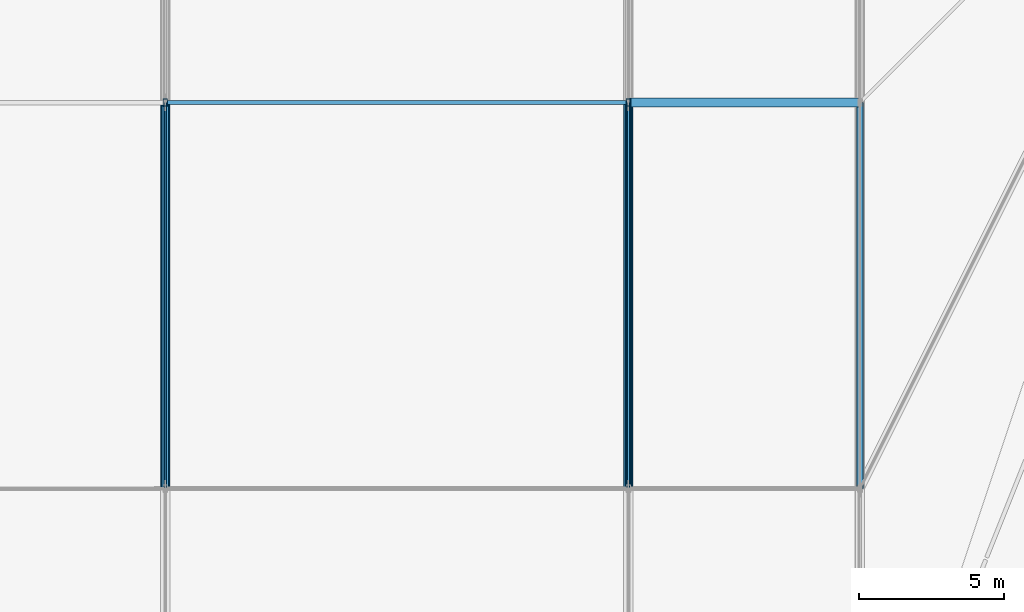
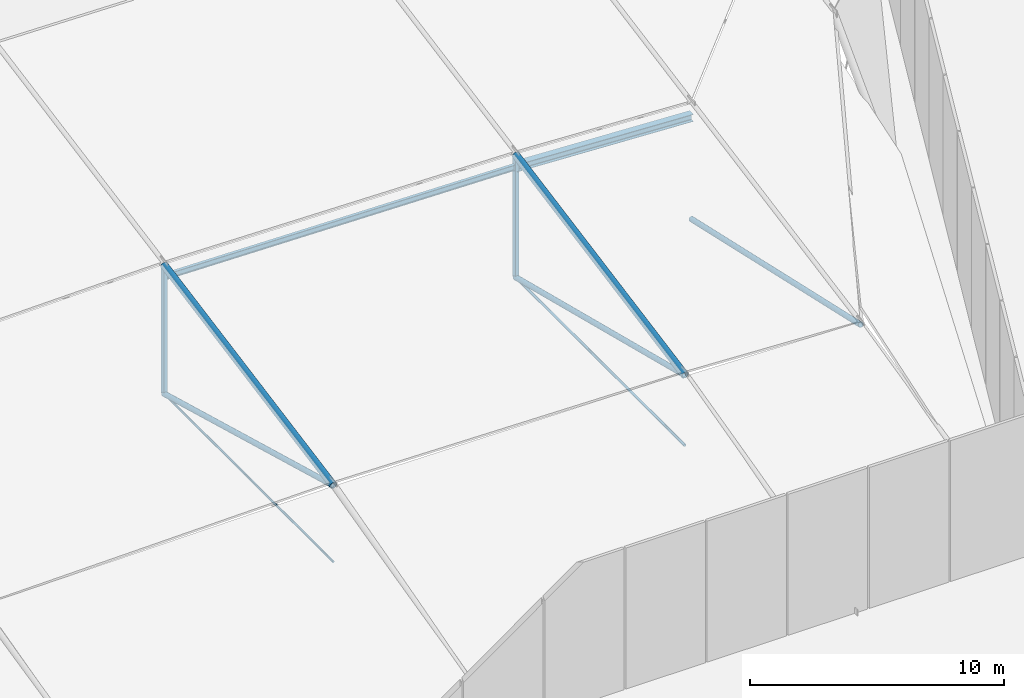
# One storey, part 5 of 30: 11 members.
"""IFC4 building model written with IfcOpenShell, lengths in metres."""

from ifc_helpers import new_model, si_unit, direction, frame, origin, origin_2d, place, context, subcontext, project, spatial, hollow_rectangle, circle, hollow_circle, i_section, extrude, material, material_profile, profile_set, type_object, element, save


model = new_model("IFC4")

# Units and contexts
model_context = context("Model", 3, precision=1e-05, world=origin(), true_north=direction((0.0, 1.0)))
body_context = subcontext(model_context, "Body", "Model", "MODEL_VIEW")
ifc_project = project(units=[si_unit("LENGTHUNIT", "METRE"), si_unit("AREAUNIT", "SQUARE_METRE"), si_unit("VOLUMEUNIT", "CUBIC_METRE"), si_unit("PLANEANGLEUNIT", "RADIAN"), si_unit("MASSUNIT", "GRAM", prefix="KILO")], contexts=[model_context])

# Site, building, storey
site_placement = place(None, origin())
site = spatial("IfcSite", under=ifc_project, at=site_placement, CompositionType="ELEMENT")
building_placement = place(site_placement, origin())
building = spatial("IfcBuilding", under=site, at=building_placement, Name="Tazarka Park Arena", CompositionType="ELEMENT")
storey_placement = place(building_placement, frame((0.0, 0.0, 29.39990234375)))
storey = spatial("IfcBuildingStorey", under=building, at=storey_placement, Name="Roof", CompositionType="ELEMENT", Elevation=29.39990234375)

# Members
ifc_material_1 = material(Name="Steel S355", Category="steel")
ifc_material_profile_1 = material_profile(ifc_material_1, hollow_circle(Radius=0.122314453125, WallThickness=0.012451171875, at=origin_2d()), Name="Steel S355")
ifc_profile_set_1 = profile_set([ifc_material_profile_1], Name="Steel S355")
member_type_1 = type_object("IfcMemberType", Name="MEM-BR-05", PredefinedType="BRACE", material=ifc_profile_set_1)
member_1_placement = place(storey_placement, frame((88.0, 37.333251953125, 3.62158203125), z_axis=(0.0, 0.964118911046, -0.265470761788), x_axis=(-1.0, 0.0, 0.0)))
element("IfcMember", 1, at=member_1_placement, inside=storey, type_object=member_type_1, Name="CBD-04-1", PredefinedType="BRACE", context=body_context, shape_type="SweptSolid", body=[
    extrude(hollow_circle(Radius=0.122314453125, WallThickness=0.012451171875, at=origin_2d()), origin(), (0.0, 0.0, 1.0), 13.829833984375),
])
member_2_placement = place(storey_placement, frame((104.0, 37.333251953125, 3.3232421875), z_axis=(0.0, 0.969459981923, -0.245249553416), x_axis=(-1.0, 0.0, 0.0)))
element("IfcMember", 2, at=member_2_placement, inside=storey, type_object=member_type_1, Name="CBD-05-1", PredefinedType="BRACE", context=body_context, shape_type="SweptSolid", body=[
    extrude(hollow_circle(Radius=0.122314453125, WallThickness=0.012451171875, at=origin_2d()), origin(), (0.0, 0.0, 1.0), 13.75341796875),
])
member_3_placement = place(storey_placement, frame((112.0, 37.333251953125, 2.950439453125), z_axis=(0.0, 0.975606504186, -0.219526647562), x_axis=(-1.0, 0.0, 0.0)))
element("IfcMember", 3, at=member_3_placement, inside=storey, type_object=member_type_1, Name="CBD-06-1", PredefinedType="BRACE", context=body_context, shape_type="SweptSolid", body=[
    extrude(hollow_circle(Radius=0.122314453125, WallThickness=0.012451171875, at=origin_2d()), origin(), (0.0, 0.0, 1.0), 13.6669921875),
])
ifc_material_2 = material(Name="Locked-coil steel cable S1570", Category="steel")
ifc_material_profile_2 = material_profile(ifc_material_2, circle(Radius=0.050048828125, at=origin_2d()), Name="Locked-coil steel cable S1570")
ifc_profile_set_2 = profile_set([ifc_material_profile_2], Name="Locked-coil steel cable S1570")
member_type_2 = type_object("IfcMemberType", Name="MEM-CBL-02", PredefinedType="USERDEFINED", material=ifc_profile_set_2)
member_4_placement = place(storey_placement, frame((88.0, 37.333251953125, -0.0498046875), z_axis=(0.0, 1.0, 0.0), x_axis=(-1.0, 0.0, 0.0)))
element("IfcMember", 4, at=member_4_placement, inside=storey, type_object=member_type_2, Name="CABLE CBL-02-5-2", ObjectType="CABLE", PredefinedType="USERDEFINED", context=body_context, shape_type="SweptSolid", body=[
    extrude(circle(Radius=0.050048828125, at=origin_2d()), origin(), (0.0, 0.0, 1.0), 13.33349609375),
])
ifc_material_3 = material(Name="Locked-coil steel cable S1570", Category="steel")
ifc_material_profile_3 = material_profile(ifc_material_3, circle(Radius=0.06005859375, at=origin_2d()), Name="Locked-coil steel cable S1570")
ifc_profile_set_3 = profile_set([ifc_material_profile_3], Name="Locked-coil steel cable S1570")
member_type_3 = type_object("IfcMemberType", Name="MEM-CBL-03", PredefinedType="USERDEFINED", material=ifc_profile_set_3)
member_5_placement = place(storey_placement, frame((104.0, 37.333251953125, -0.0498046875), z_axis=(0.0, 1.0, 0.0), x_axis=(-1.0, 0.0, 0.0)))
element("IfcMember", 5, at=member_5_placement, inside=storey, type_object=member_type_3, Name="CABLE CBL-03-6-2", ObjectType="CABLE", PredefinedType="USERDEFINED", context=body_context, shape_type="SweptSolid", body=[
    extrude(circle(Radius=0.06005859375, at=origin_2d()), origin(), (0.0, 0.0, 1.0), 13.33349609375),
])
ifc_material_4 = material(Name="Steel S460", Category="steel")
ifc_material_profile_4 = material_profile(ifc_material_4, hollow_circle(Radius=0.161865234375, WallThickness=0.01611328125, at=origin_2d()), Name="Steel S460")
ifc_profile_set_4 = profile_set([ifc_material_profile_4], Name="Steel S460")
member_type_4 = type_object("IfcMemberType", Name="MEM-CH-03", PredefinedType="CHORD", material=ifc_profile_set_4)
member_6_placement = place(storey_placement, frame((88.0, 37.333251953125, 3.62158203125), z_axis=(0.0, 0.982683048586, 0.185294430628), x_axis=(-1.0, 0.0, 0.0)))
element("IfcMember", 6, at=member_6_placement, inside=storey, type_object=member_type_4, Name="CABLE ARCH CHORD 5-2", PredefinedType="CHORD", context=body_context, shape_type="SweptSolid", body=[
    extrude(hollow_circle(Radius=0.161865234375, WallThickness=0.01611328125, at=origin_2d()), origin(), (0.0, 0.0, 1.0), 13.568359375),
])
member_7_placement = place(storey_placement, frame((104.0, 37.333251953125, 3.3232421875), z_axis=(0.0, 0.982679772131, 0.185311806005), x_axis=(-1.0, 0.0, 0.0)))
element("IfcMember", 7, at=member_7_placement, inside=storey, type_object=member_type_4, Name="CABLE ARCH CHORD 6-2", PredefinedType="CHORD", context=body_context, shape_type="SweptSolid", body=[
    extrude(hollow_circle(Radius=0.161865234375, WallThickness=0.01611328125, at=origin_2d()), origin(), (0.0, 0.0, 1.0), 13.568603515625),
])
ifc_material_5 = material(Name="Steel S355", Category="steel")
ifc_material_profile_5 = material_profile(ifc_material_5, i_section(OverallWidth=0.135009765625, OverallDepth=0.27001953125, WebThickness=0.006591796875, FlangeThickness=0.01025390625, FilletRadius=0.014892578125, at=origin_2d()), Name="Steel S355")
ifc_profile_set_5 = profile_set([ifc_material_profile_5], Name="Steel S355")
member_type_5 = type_object("IfcMemberType", Name="MEM-PR-03", PredefinedType="PURLIN", material=ifc_profile_set_5)
member_8_placement = place(storey_placement, frame((88.0, 50.666748046875, 5.57568359375), z_axis=(0.999826488435, 0.0, -0.018627748755), x_axis=(0.0, 1.0, 0.0)))
element("IfcMember", 8, at=member_8_placement, inside=storey, type_object=member_type_5, Name="RPM-04-02", PredefinedType="PURLIN", context=body_context, shape_type="SweptSolid", body=[
    extrude(i_section(OverallWidth=0.135009765625, OverallDepth=0.27001953125, WebThickness=0.006591796875, FlangeThickness=0.01025390625, FilletRadius=0.014892578125, at=origin_2d()), origin(), (0.0, 0.0, 1.0), 16.002685546875),
])
ifc_material_6 = material(Name="Steel S355", Category="steel")
ifc_material_profile_6 = material_profile(ifc_material_6, i_section(OverallWidth=0.300048828125, OverallDepth=0.35009765625, WebThickness=0.010009765625, FlangeThickness=0.017578125, FilletRadius=0.027099609375, at=origin_2d()), Name="Steel S355")
ifc_profile_set_6 = profile_set([ifc_material_profile_6], Name="Steel S355")
member_type_6 = type_object("IfcMemberType", Name="MEM-PR-04", PredefinedType="PURLIN", material=ifc_profile_set_6)
member_9_placement = place(storey_placement, frame((104.0, 50.666748046875, 5.277587890625), z_axis=(0.998915969307, 0.0, -0.046549825596), x_axis=(0.0, 1.0, 0.0)))
element("IfcMember", 9, at=member_9_placement, inside=storey, type_object=member_type_6, Name="RPM-05-02", PredefinedType="PURLIN", context=body_context, shape_type="SweptSolid", body=[
    extrude(i_section(OverallWidth=0.300048828125, OverallDepth=0.35009765625, WebThickness=0.010009765625, FlangeThickness=0.017578125, FilletRadius=0.027099609375, at=origin_2d()), origin(), (0.0, 0.0, 1.0), 8.0087890625),
])
ifc_material_7 = material(Name="Steel S355", Category="steel")
ifc_material_profile_7 = material_profile(ifc_material_7, hollow_rectangle(XDim=0.14990234375, YDim=0.25, WallThickness=0.010009765625, at=origin_2d()), Name="Steel S355")
ifc_profile_set_7 = profile_set([ifc_material_profile_7], Name="Steel S355")
member_type_7 = type_object("IfcMemberType", Name="MEM-PT-02", PredefinedType="POST", material=ifc_profile_set_7)
member_10_placement = place(storey_placement, frame((88.0, 50.666748046875, -0.0498046875), z_axis=(0.0, 0.0, 1.0), x_axis=(1.0, 0.0, 0.0)))
element("IfcMember", 10, at=member_10_placement, inside=storey, type_object=member_type_7, Name="CBH-04-2", PredefinedType="POST", context=body_context, shape_type="SweptSolid", body=[
    extrude(hollow_rectangle(XDim=0.14990234375, YDim=0.25, WallThickness=0.010009765625, at=origin_2d()), origin(), (0.0, 0.0, 1.0), 6.185546875),
])
member_11_placement = place(storey_placement, frame((104.0, 50.666748046875, -0.0498046875), z_axis=(0.0, 0.0, 1.0), x_axis=(1.0, 0.0, 0.0)))
element("IfcMember", 11, at=member_11_placement, inside=storey, type_object=member_type_7, Name="CBH-05-2", PredefinedType="POST", context=body_context, shape_type="SweptSolid", body=[
    extrude(hollow_rectangle(XDim=0.14990234375, YDim=0.25, WallThickness=0.010009765625, at=origin_2d()), origin(), (0.0, 0.0, 1.0), 5.887451171875),
])

save(model, "model.ifc")
